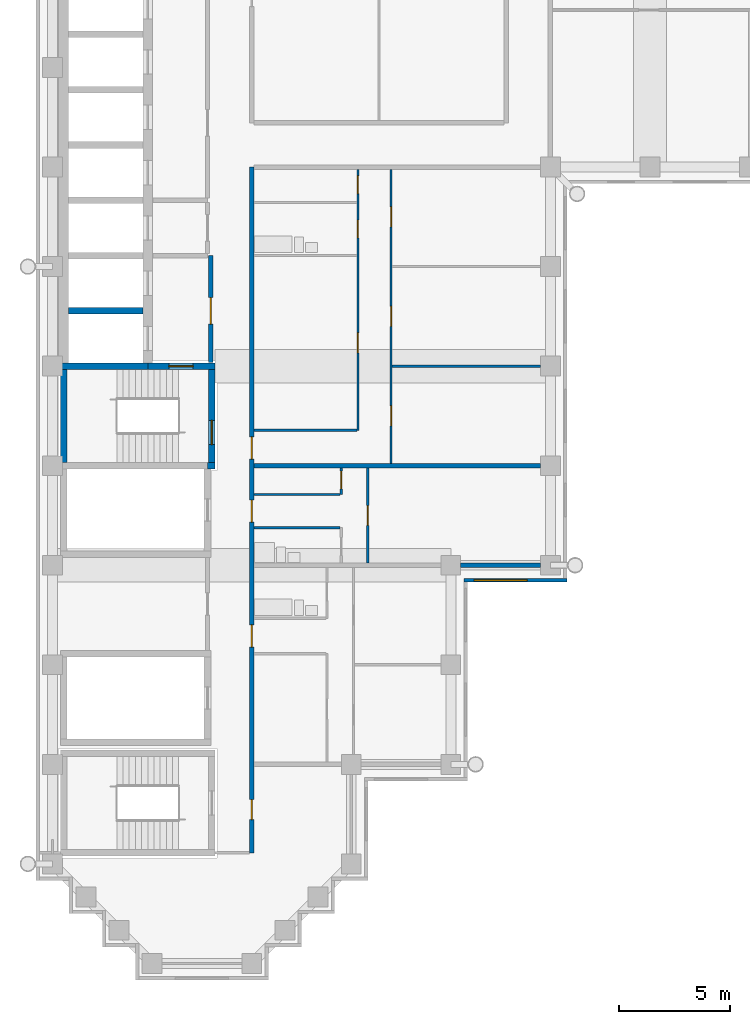
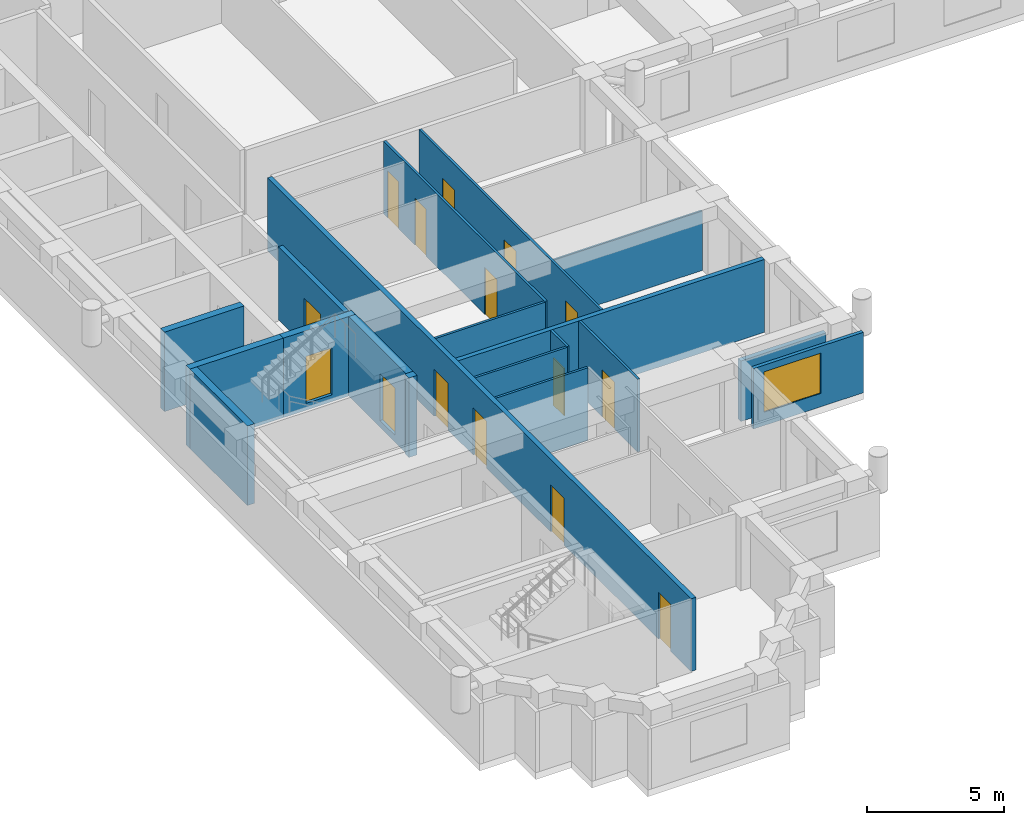
# One storey, part 6 of 14: 19 walls, 15 doors, 1 window, 16 openings.
"""IFC4 building model written with IfcOpenShell, lengths in metres."""

from ifc_helpers import new_model, si_unit, direction, frame, frame_2d, origin, place, context, subcontext, project, spatial, rectangle, extrude, material, layer, layer_set, type_object, element, fill, save


model = new_model("IFC4")

# Units and contexts
model_context = context("Model", 3, precision=1e-05, world=origin(), true_north=direction((0.0, 1.0)))
body_context = subcontext(model_context, "Body", "Model", "MODEL_VIEW")
ifc_project = project(units=[si_unit("LENGTHUNIT", "METRE"), si_unit("AREAUNIT", "SQUARE_METRE"), si_unit("VOLUMEUNIT", "CUBIC_METRE"), si_unit("PLANEANGLEUNIT", "RADIAN"), si_unit("MASSUNIT", "GRAM", prefix="KILO")], contexts=[model_context])

# Site, building, storey
site_placement = place(None, origin())
site = spatial("IfcSite", under=ifc_project, at=site_placement, CompositionType="ELEMENT")
building_placement = place(site_placement, origin())
building = spatial("IfcBuilding", under=site, at=building_placement, Name="Firuza Court", CompositionType="ELEMENT")
storey_placement = place(building_placement, frame((0.0, 0.0, 182.60009765625)))
storey = spatial("IfcBuildingStorey", under=building, at=storey_placement, Name="L46", CompositionType="ELEMENT", Elevation=182.60009765625)

# Walls
ifc_material_1 = material(Name="Moisture-resistant gypsum board partition")
ifc_layer_1 = layer(ifc_material_1, 0.10009765625)
ifc_layer_set_1 = layer_set([ifc_layer_1], Name="Moisture-resistant gypsum board partition")
wall_type_1 = type_object("IfcWallType", Name="Bathroom partition 100", PredefinedType="PLUMBINGWALL", material=ifc_layer_set_1)
wall_1_placement = place(storey_placement, frame((9.10009765625, 19.699951171875, 0.0), z_axis=(0.0, 0.0, 1.0), x_axis=(1.0, 0.0, 0.0)))
element("IfcWall", 1, at=wall_1_placement, inside=storey, type_object=wall_type_1, Name="Bathroom partition 100 L46", PredefinedType="PLUMBINGWALL", context=body_context, shape_type="SweptSolid", body=[
    extrude(rectangle(XDim=3.89990234375, YDim=0.10009765625, at=frame_2d((1.949951171875, 0.0))), origin(), (0.0, 0.0, 1.0), 3.25),
])
ifc_material_2 = material(Name="Concrete C50/60", Category="concrete")
ifc_layer_2 = layer(ifc_material_2, 0.300048828125)
ifc_layer_set_2 = layer_set([ifc_layer_2], Name="Concrete C50/60")
wall_type_2 = type_object("IfcWallType", Name="Core wall 300 C50/60", PredefinedType="SHEAR", material=ifc_layer_set_2)
wall_2_placement = place(storey_placement, frame((0.35009765625, 27.0, -0.300048828125), z_axis=(0.0, 0.0, 1.0), x_axis=(1.0, 0.0, 0.0)))
element("IfcWall", 2, at=wall_2_placement, inside=storey, type_object=wall_type_2, Name="Core wall lift shaft L46", PredefinedType="SHEAR", context=body_context, shape_type="SweptSolid", body=[
    extrude(rectangle(XDim=3.949951171875, YDim=0.300048828125, at=frame_2d((1.97509765625, 0.0))), origin(), (0.0, 0.0, 1.0), 3.550048828125),
])
wall_3_placement = place(storey_placement, frame((0.5, 22.64990234375, -0.300048828125), z_axis=(0.0, 0.0, 1.0), x_axis=(0.0, 1.0, 0.0)))
element("IfcWall", 3, at=wall_3_placement, inside=storey, type_object=wall_type_2, Name="Core wall stair L46", PredefinedType="SHEAR", context=body_context, shape_type="SweptSolid", body=[
    extrude(rectangle(XDim=4.2001953125, YDim=0.300048828125, at=frame_2d((2.10009765625, 0.0))), origin(), (0.0, 0.0, 1.0), 3.550048828125),
])
wall_4_placement = place(storey_placement, frame((0.72509765625, 29.5, -0.300048828125), z_axis=(0.0, 0.0, 1.0), x_axis=(1.0, 0.0, 0.0)))
element("IfcWall", 4, at=wall_4_placement, inside=storey, type_object=wall_type_2, Name="Core wall lift shaft L46", PredefinedType="SHEAR", context=body_context, shape_type="SweptSolid", body=[
    extrude(rectangle(XDim=3.349853515625, YDim=0.300048828125, at=frame_2d((1.6748046875, 0.0))), origin(), (0.0, 0.0, 1.0), 3.550048828125),
])

# Wall, opening, door
wall_5_placement = place(storey_placement, frame((4.300048828125, 27.0, -0.300048828125), z_axis=(0.0, 0.0, 1.0), x_axis=(1.0, 0.0, 0.0)))
wall_5 = element("IfcWall", 5, at=wall_5_placement, inside=storey, type_object=wall_type_2, Name="Core wall stair L46", PredefinedType="SHEAR", context=body_context, shape_type="SweptSolid", body=[
    extrude(rectangle(XDim=3.050048828125, YDim=0.300048828125, at=frame_2d((1.52490234375, 0.0))), origin(), (0.0, 0.0, 1.0), 3.550048828125),
])
opening_1_placement = place(wall_5_placement, frame((0.949951171875, 0.0, 0.300048828125)))
opening_1 = element("IfcOpeningElement", 6, at=opening_1_placement, cuts=wall_5, Name="Opening D46013", PredefinedType="OPENING", context=body_context, shape_type="SweptSolid", body=[
    extrude(rectangle(XDim=1.10009765625, YDim=2.10009765625, at=frame_2d((0.550048828125, 1.050048828125))), frame((0.0, 0.162109375, 0.0), z_axis=(0.0, -1.0, 0.0), x_axis=(1.0, 0.0, 0.0)), (0.0, 0.0, 1.0), 0.323974609375),
])
ifc_material_3 = material(Name="Timber door leaf in hardwood frame", Category="wood")
door_type_1 = type_object("IfcDoorType", Name="Stair door 1100", OperationType="SINGLE_SWING_LEFT", PredefinedType="DOOR", material=ifc_material_3)
door_1_placement = place(opening_1_placement, frame((1.10009765625, 0.0, 0.0), z_axis=(0.0, 0.0, 1.0), x_axis=(-1.0, 0.0, 0.0)))
door_1 = element("IfcDoor", 7, at=door_1_placement, inside=storey, type_object=door_type_1, Name="Fire-fighting lobby door", OperationType="SINGLE_SWING_LEFT", OverallHeight=2.10009765625, OverallWidth=1.10009765625, PredefinedType="DOOR", context=body_context, shape_type="SweptSolid", body=[
    extrude(rectangle(XDim=1.10009765625, YDim=2.10009765625, at=frame_2d((0.550048828125, 1.050048828125))), frame((0.0, 0.02490234375, 0.0), z_axis=(0.0, -1.0, 0.0), x_axis=(1.0, 0.0, 0.0)), (0.0, 0.0, 1.0), 0.050048828125),
])
fill(opening_1, door_1)

# Wall
wall_6_placement = place(storey_placement, frame((7.0, 22.5, -0.300048828125), z_axis=(0.0, 0.0, 1.0), x_axis=(1.0, 0.0, 0.0)))
element("IfcWall", 8, at=wall_6_placement, inside=storey, type_object=wall_type_2, Name="Core wall stair L46", PredefinedType="SHEAR", context=body_context, shape_type="SweptSolid", body=[
    extrude(rectangle(XDim=0.35009765625, YDim=0.300048828125, at=frame_2d((0.175048828125, 0.0))), origin(), (0.0, 0.0, 1.0), 3.550048828125),
])

# Wall, opening, door
wall_7_placement = place(storey_placement, frame((7.199951171875, 22.64990234375, -0.300048828125), z_axis=(0.0, 0.0, 1.0), x_axis=(0.0, 1.0, 0.0)))
wall_7 = element("IfcWall", 9, at=wall_7_placement, inside=storey, type_object=wall_type_2, Name="Core wall stair L46", PredefinedType="SHEAR", context=body_context, shape_type="SweptSolid", body=[
    extrude(rectangle(XDim=4.2001953125, YDim=0.300048828125, at=frame_2d((2.10009765625, 0.0))), origin(), (0.0, 0.0, 1.0), 3.550048828125),
])
opening_2_placement = place(wall_7_placement, frame((0.800048828125, 0.0, 0.300048828125)))
opening_2 = element("IfcOpeningElement", 10, at=opening_2_placement, cuts=wall_7, Name="Opening D46014", PredefinedType="OPENING", context=body_context, shape_type="SweptSolid", body=[
    extrude(rectangle(XDim=1.10009765625, YDim=2.10009765625, at=frame_2d((0.550048828125, 1.050048828125))), frame((0.0, 0.162109375, 0.0), z_axis=(0.0, -1.0, 0.0), x_axis=(1.0, 0.0, 0.0)), (0.0, 0.0, 1.0), 0.323974609375),
])
door_2_placement = place(opening_2_placement, origin())
door_2 = element("IfcDoor", 11, at=door_2_placement, inside=storey, type_object=door_type_1, Name="Stair door S2", OperationType="SINGLE_SWING_LEFT", OverallHeight=2.10009765625, OverallWidth=1.10009765625, PredefinedType="DOOR", context=body_context, shape_type="SweptSolid", body=[
    extrude(rectangle(XDim=1.10009765625, YDim=2.10009765625, at=frame_2d((0.550048828125, 1.050048828125))), frame((0.0, 0.02490234375, 0.0), z_axis=(0.0, -1.0, 0.0), x_axis=(1.0, 0.0, 0.0)), (0.0, 0.0, 1.0), 0.050048828125),
])
fill(opening_2, door_2)

# Wall, openings, doors
ifc_material_4 = material(Name="Blockwork, plastered both sides", Category="masonry")
ifc_layer_3 = layer(ifc_material_4, 0.199951171875)
ifc_layer_set_3 = layer_set([ifc_layer_3], Name="Blockwork, plastered both sides")
wall_type_3 = type_object("IfcWallType", Name="Corridor wall 200", PredefinedType="PARTITIONING", material=ifc_layer_set_3)
wall_8_placement = place(storey_placement, frame((9.0, 5.0, 0.0), z_axis=(0.0, 0.0, 1.0), x_axis=(0.0, 1.0, 0.0)))
wall_8 = element("IfcWall", 12, at=wall_8_placement, inside=storey, type_object=wall_type_3, Name="Corridor wall 200 L46", PredefinedType="PARTITIONING", context=body_context, shape_type="SweptSolid", body=[
    extrude(rectangle(XDim=31.0, YDim=0.199951171875, at=frame_2d((15.5, 0.0))), origin(), (0.0, 0.0, 1.0), 3.25),
])
opening_3_placement = place(wall_8_placement, frame((17.800048828125, 0.0, 0.0)))
opening_3 = element("IfcOpeningElement", 13, at=opening_3_placement, cuts=wall_8, Name="Opening D46018", PredefinedType="OPENING", context=body_context, shape_type="SweptSolid", body=[
    extrude(rectangle(XDim=1.0, YDim=2.10009765625, at=frame_2d((0.5, 1.050048828125))), frame((0.0, 0.11181640625, 0.0), z_axis=(0.0, -1.0, 0.0), x_axis=(1.0, 0.0, 0.0)), (0.0, 0.0, 1.0), 0.223876953125),
])
opening_4_placement = place(wall_8_placement, frame((14.949951171875, 0.0, 0.0)))
opening_4 = element("IfcOpeningElement", 14, at=opening_4_placement, cuts=wall_8, Name="Opening D46019", PredefinedType="OPENING", context=body_context, shape_type="SweptSolid", body=[
    extrude(rectangle(XDim=1.0, YDim=2.10009765625, at=frame_2d((0.5, 1.050048828125))), frame((0.0, 0.11181640625, 0.0), z_axis=(0.0, -1.0, 0.0), x_axis=(1.0, 0.0, 0.0)), (0.0, 0.0, 1.0), 0.223876953125),
])
opening_5_placement = place(wall_8_placement, frame((9.300048828125, 0.0, 0.0)))
opening_5 = element("IfcOpeningElement", 15, at=opening_5_placement, cuts=wall_8, Name="Opening D46020", PredefinedType="OPENING", context=body_context, shape_type="SweptSolid", body=[
    extrude(rectangle(XDim=1.0, YDim=2.10009765625, at=frame_2d((0.5, 1.050048828125))), frame((0.0, 0.11181640625, 0.0), z_axis=(0.0, -1.0, 0.0), x_axis=(1.0, 0.0, 0.0)), (0.0, 0.0, 1.0), 0.223876953125),
])
opening_6_placement = place(wall_8_placement, frame((1.5, 0.0, 0.0)))
opening_6 = element("IfcOpeningElement", 16, at=opening_6_placement, cuts=wall_8, Name="Opening D46021", PredefinedType="OPENING", context=body_context, shape_type="SweptSolid", body=[
    extrude(rectangle(XDim=0.89990234375, YDim=2.10009765625, at=frame_2d((0.449951171875, 1.050048828125))), frame((0.0, 0.11181640625, 0.0), z_axis=(0.0, -1.0, 0.0), x_axis=(1.0, 0.0, 0.0)), (0.0, 0.0, 1.0), 0.223876953125),
])
ifc_material_5 = material(Name="Timber door leaf in hardwood frame", Category="wood")
door_type_2 = type_object("IfcDoorType", Name="Flat entrance door 1000", OperationType="SINGLE_SWING_LEFT", PredefinedType="DOOR", material=ifc_material_5)
door_3_placement = place(opening_3_placement, origin())
door_3 = element("IfcDoor", 17, at=door_3_placement, inside=storey, type_object=door_type_2, Name="Flat entrance door", OperationType="SINGLE_SWING_LEFT", OverallHeight=2.10009765625, OverallWidth=1.0, PredefinedType="DOOR", context=body_context, shape_type="SweptSolid", body=[
    extrude(rectangle(XDim=1.0, YDim=2.10009765625, at=frame_2d((0.5, 1.050048828125))), frame((0.0, 0.02490234375, 0.0), z_axis=(0.0, -1.0, 0.0), x_axis=(1.0, 0.0, 0.0)), (0.0, 0.0, 1.0), 0.050048828125),
])
fill(opening_3, door_3)
door_4_placement = place(opening_4_placement, origin())
door_4 = element("IfcDoor", 18, at=door_4_placement, inside=storey, type_object=door_type_2, Name="Flat entrance door", OperationType="SINGLE_SWING_LEFT", OverallHeight=2.10009765625, OverallWidth=1.0, PredefinedType="DOOR", context=body_context, shape_type="SweptSolid", body=[
    extrude(rectangle(XDim=1.0, YDim=2.10009765625, at=frame_2d((0.5, 1.050048828125))), frame((0.0, 0.02490234375, 0.0), z_axis=(0.0, -1.0, 0.0), x_axis=(1.0, 0.0, 0.0)), (0.0, 0.0, 1.0), 0.050048828125),
])
fill(opening_4, door_4)
door_5_placement = place(opening_5_placement, origin())
door_5 = element("IfcDoor", 19, at=door_5_placement, inside=storey, type_object=door_type_2, Name="Flat entrance door", OperationType="SINGLE_SWING_LEFT", OverallHeight=2.10009765625, OverallWidth=1.0, PredefinedType="DOOR", context=body_context, shape_type="SweptSolid", body=[
    extrude(rectangle(XDim=1.0, YDim=2.10009765625, at=frame_2d((0.5, 1.050048828125))), frame((0.0, 0.02490234375, 0.0), z_axis=(0.0, -1.0, 0.0), x_axis=(1.0, 0.0, 0.0)), (0.0, 0.0, 1.0), 0.050048828125),
])
fill(opening_5, door_5)
ifc_material_6 = material(Name="Timber door leaf in hardwood frame", Category="wood")
door_type_3 = type_object("IfcDoorType", Name="Room door 900 EI 30", OperationType="SINGLE_SWING_LEFT", PredefinedType="DOOR", material=ifc_material_6)
door_6_placement = place(opening_6_placement, origin())
door_6 = element("IfcDoor", 20, at=door_6_placement, inside=storey, type_object=door_type_3, Name="Fitness studio door", OperationType="SINGLE_SWING_LEFT", OverallHeight=2.10009765625, OverallWidth=0.89990234375, PredefinedType="DOOR", context=body_context, shape_type="SweptSolid", body=[
    extrude(rectangle(XDim=0.89990234375, YDim=2.10009765625, at=frame_2d((0.449951171875, 1.050048828125))), frame((0.0, 0.02490234375, 0.0), z_axis=(0.0, -1.0, 0.0), x_axis=(1.0, 0.0, 0.0)), (0.0, 0.0, 1.0), 0.050048828125),
])
fill(opening_6, door_6)

# Wall, opening, door
ifc_material_7 = material(Name="Timber stud partition, plasterboard both sides", Category="wood")
ifc_layer_4 = layer(ifc_material_7, 0.10009765625)
ifc_layer_set_4 = layer_set([ifc_layer_4], Name="Timber stud partition, plasterboard both sides")
wall_type_4 = type_object("IfcWallType", Name="Partition wall 100", PredefinedType="PARTITIONING", material=ifc_layer_set_4)
wall_9_placement = place(storey_placement, frame((14.25, 18.10009765625, 0.0), z_axis=(0.0, 0.0, 1.0), x_axis=(0.0, 1.0, 0.0)))
wall_9 = element("IfcWall", 21, at=wall_9_placement, inside=storey, type_object=wall_type_4, Name="Partition wall 100 L46", PredefinedType="PARTITIONING", context=body_context, shape_type="SweptSolid", body=[
    extrude(rectangle(XDim=4.2998046875, YDim=0.10009765625, at=frame_2d((2.14990234375, 0.0))), origin(), (0.0, 0.0, 1.0), 3.25),
])
opening_7_placement = place(wall_9_placement, frame((1.699951171875, 0.0, 0.0)))
opening_7 = element("IfcOpeningElement", 22, at=opening_7_placement, cuts=wall_9, Name="Opening D46028", PredefinedType="OPENING", context=body_context, shape_type="SweptSolid", body=[
    extrude(rectangle(XDim=0.89990234375, YDim=2.10009765625, at=frame_2d((0.449951171875, 1.050048828125))), frame((0.0, 0.06201171875, 0.0), z_axis=(0.0, -1.0, 0.0), x_axis=(1.0, 0.0, 0.0)), (0.0, 0.0, 1.0), 0.1240234375),
])
ifc_material_8 = material(Name="Timber door leaf in hardwood frame", Category="wood")
door_type_4 = type_object("IfcDoorType", Name="Room door 900", OperationType="SINGLE_SWING_LEFT", PredefinedType="DOOR", material=ifc_material_8)
door_7_placement = place(opening_7_placement, frame((0.89990234375, 0.0, 0.0), z_axis=(0.0, 0.0, 1.0), x_axis=(-1.0, 0.0, 0.0)))
door_7 = element("IfcDoor", 23, at=door_7_placement, inside=storey, type_object=door_type_4, Name="Studio room door", OperationType="SINGLE_SWING_RIGHT", OverallHeight=2.10009765625, OverallWidth=0.89990234375, PredefinedType="DOOR", context=body_context, shape_type="SweptSolid", body=[
    extrude(rectangle(XDim=0.89990234375, YDim=2.10009765625, at=frame_2d((0.449951171875, 1.050048828125))), frame((0.0, 0.02490234375, 0.0), z_axis=(0.0, -1.0, 0.0), x_axis=(1.0, 0.0, 0.0)), (0.0, 0.0, 1.0), 0.050048828125),
])
fill(opening_7, door_7)

# Wall
wall_10_placement = place(storey_placement, frame((9.10009765625, 21.199951171875, 0.0), z_axis=(0.0, 0.0, 1.0), x_axis=(1.0, 0.0, 0.0)))
element("IfcWall", 24, at=wall_10_placement, inside=storey, type_object=wall_type_4, Name="Partition wall 100 L46", PredefinedType="PARTITIONING", context=body_context, shape_type="SweptSolid", body=[
    extrude(rectangle(XDim=3.89990234375, YDim=0.10009765625, at=frame_2d((1.949951171875, 0.0))), origin(), (0.0, 0.0, 1.0), 3.25),
])

# Wall, opening, door
wall_11_placement = place(storey_placement, frame((13.050048828125, 21.199951171875, 0.0), z_axis=(0.0, 0.0, 1.0), x_axis=(0.0, 1.0, 0.0)))
wall_11 = element("IfcWall", 25, at=wall_11_placement, inside=storey, type_object=wall_type_4, Name="Partition wall 100 L46", PredefinedType="PARTITIONING", context=body_context, shape_type="SweptSolid", body=[
    extrude(rectangle(XDim=1.199951171875, YDim=0.10009765625, at=frame_2d((0.60009765625, 0.0))), origin(), (0.0, 0.0, 1.0), 3.25),
])
opening_8_placement = place(wall_11_placement, frame((0.25, 0.0, 0.0)))
opening_8 = element("IfcOpeningElement", 26, at=opening_8_placement, cuts=wall_11, Name="Opening D46029", PredefinedType="OPENING", context=body_context, shape_type="SweptSolid", body=[
    extrude(rectangle(XDim=0.800048828125, YDim=2.10009765625, at=frame_2d((0.39990234375, 1.050048828125))), frame((0.0, 0.06201171875, 0.0), z_axis=(0.0, -1.0, 0.0), x_axis=(1.0, 0.0, 0.0)), (0.0, 0.0, 1.0), 0.1240234375),
])
ifc_material_9 = material(Name="Timber door leaf in hardwood frame", Category="wood")
door_type_5 = type_object("IfcDoorType", Name="Room door 800", OperationType="SINGLE_SWING_LEFT", PredefinedType="DOOR", material=ifc_material_9)
door_8_placement = place(opening_8_placement, origin())
door_8 = element("IfcDoor", 27, at=door_8_placement, inside=storey, type_object=door_type_5, Name="Kitchen door", OperationType="SINGLE_SWING_LEFT", OverallHeight=2.10009765625, OverallWidth=0.800048828125, PredefinedType="DOOR", context=body_context, shape_type="SweptSolid", body=[
    extrude(rectangle(XDim=0.800048828125, YDim=2.10009765625, at=frame_2d((0.39990234375, 1.050048828125))), frame((0.0, 0.02490234375, 0.0), z_axis=(0.0, -1.0, 0.0), x_axis=(1.0, 0.0, 0.0)), (0.0, 0.0, 1.0), 0.050048828125),
])
fill(opening_8, door_8)

# Wall, openings, doors
wall_12_placement = place(storey_placement, frame((15.300048828125, 22.60009765625, 0.0), z_axis=(0.0, 0.0, 1.0), x_axis=(0.0, 1.0, 0.0)))
wall_12 = element("IfcWall", 28, at=wall_12_placement, inside=storey, type_object=wall_type_4, Name="Partition wall 100 L46", PredefinedType="PARTITIONING", context=body_context, shape_type="SweptSolid", body=[
    extrude(rectangle(XDim=13.2998046875, YDim=0.10009765625, at=frame_2d((6.64990234375, 0.0))), origin(), (0.0, 0.0, 1.0), 3.25),
])
opening_9_placement = place(wall_12_placement, frame((1.699951171875, 0.0, 0.0)))
opening_9 = element("IfcOpeningElement", 29, at=opening_9_placement, cuts=wall_12, Name="Opening D46030", PredefinedType="OPENING", context=body_context, shape_type="SweptSolid", body=[
    extrude(rectangle(XDim=0.89990234375, YDim=2.10009765625, at=frame_2d((0.449951171875, 1.050048828125))), frame((0.0, 0.06201171875, 0.0), z_axis=(0.0, -1.0, 0.0), x_axis=(1.0, 0.0, 0.0)), (0.0, 0.0, 1.0), 0.1240234375),
])
opening_10_placement = place(wall_12_placement, frame((6.199951171875, 0.0, 0.0)))
opening_10 = element("IfcOpeningElement", 30, at=opening_10_placement, cuts=wall_12, Name="Opening D46031", PredefinedType="OPENING", context=body_context, shape_type="SweptSolid", body=[
    extrude(rectangle(XDim=0.89990234375, YDim=2.10009765625, at=frame_2d((0.449951171875, 1.050048828125))), frame((0.0, 0.06201171875, 0.0), z_axis=(0.0, -1.0, 0.0), x_axis=(1.0, 0.0, 0.0)), (0.0, 0.0, 1.0), 0.1240234375),
])
opening_11_placement = place(wall_12_placement, frame((10.699951171875, 0.0, 0.0)))
opening_11 = element("IfcOpeningElement", 31, at=opening_11_placement, cuts=wall_12, Name="Opening D46032", PredefinedType="OPENING", context=body_context, shape_type="SweptSolid", body=[
    extrude(rectangle(XDim=0.89990234375, YDim=2.10009765625, at=frame_2d((0.449951171875, 1.050048828125))), frame((0.0, 0.06201171875, 0.0), z_axis=(0.0, -1.0, 0.0), x_axis=(1.0, 0.0, 0.0)), (0.0, 0.0, 1.0), 0.1240234375),
])
door_9_placement = place(opening_9_placement, frame((0.89990234375, 0.0, 0.0), z_axis=(0.0, 0.0, 1.0), x_axis=(-1.0, 0.0, 0.0)))
door_9 = element("IfcDoor", 32, at=door_9_placement, inside=storey, type_object=door_type_4, Name="Living room door", OperationType="SINGLE_SWING_RIGHT", OverallHeight=2.10009765625, OverallWidth=0.89990234375, PredefinedType="DOOR", context=body_context, shape_type="SweptSolid", body=[
    extrude(rectangle(XDim=0.89990234375, YDim=2.10009765625, at=frame_2d((0.449951171875, 1.050048828125))), frame((0.0, 0.02490234375, 0.0), z_axis=(0.0, -1.0, 0.0), x_axis=(1.0, 0.0, 0.0)), (0.0, 0.0, 1.0), 0.050048828125),
])
fill(opening_9, door_9)
door_10_placement = place(opening_10_placement, frame((0.89990234375, 0.0, 0.0), z_axis=(0.0, 0.0, 1.0), x_axis=(-1.0, 0.0, 0.0)))
door_10 = element("IfcDoor", 33, at=door_10_placement, inside=storey, type_object=door_type_4, Name="Bedroom door", OperationType="SINGLE_SWING_RIGHT", OverallHeight=2.10009765625, OverallWidth=0.89990234375, PredefinedType="DOOR", context=body_context, shape_type="SweptSolid", body=[
    extrude(rectangle(XDim=0.89990234375, YDim=2.10009765625, at=frame_2d((0.449951171875, 1.050048828125))), frame((0.0, 0.02490234375, 0.0), z_axis=(0.0, -1.0, 0.0), x_axis=(1.0, 0.0, 0.0)), (0.0, 0.0, 1.0), 0.050048828125),
])
fill(opening_10, door_10)
door_11_placement = place(opening_11_placement, frame((0.89990234375, 0.0, 0.0), z_axis=(0.0, 0.0, 1.0), x_axis=(-1.0, 0.0, 0.0)))
door_11 = element("IfcDoor", 34, at=door_11_placement, inside=storey, type_object=door_type_4, Name="Bedroom door", OperationType="SINGLE_SWING_RIGHT", OverallHeight=2.10009765625, OverallWidth=0.89990234375, PredefinedType="DOOR", context=body_context, shape_type="SweptSolid", body=[
    extrude(rectangle(XDim=0.89990234375, YDim=2.10009765625, at=frame_2d((0.449951171875, 1.050048828125))), frame((0.0, 0.02490234375, 0.0), z_axis=(0.0, -1.0, 0.0), x_axis=(1.0, 0.0, 0.0)), (0.0, 0.0, 1.0), 0.050048828125),
])
fill(opening_11, door_11)

# Wall
wall_13_placement = place(storey_placement, frame((9.10009765625, 24.10009765625, 0.0), z_axis=(0.0, 0.0, 1.0), x_axis=(1.0, 0.0, 0.0)))
element("IfcWall", 35, at=wall_13_placement, inside=storey, type_object=wall_type_4, Name="Partition wall 100 L46", PredefinedType="PARTITIONING", context=body_context, shape_type="SweptSolid", body=[
    extrude(rectangle(XDim=4.64990234375, YDim=0.10009765625, at=frame_2d((2.324951171875, 0.0))), origin(), (0.0, 0.0, 1.0), 3.25),
])

# Wall, openings, doors
wall_14_placement = place(storey_placement, frame((13.800048828125, 24.10009765625, 0.0), z_axis=(0.0, 0.0, 1.0), x_axis=(0.0, 1.0, 0.0)))
wall_14 = element("IfcWall", 36, at=wall_14_placement, inside=storey, type_object=wall_type_4, Name="Partition wall 100 L46", PredefinedType="PARTITIONING", context=body_context, shape_type="SweptSolid", body=[
    extrude(rectangle(XDim=11.7998046875, YDim=0.10009765625, at=frame_2d((5.89990234375, 0.0))), origin(), (0.0, 0.0, 1.0), 3.25),
])
opening_12_placement = place(wall_14_placement, frame((8.699951171875, 0.0, 0.0)))
opening_12 = element("IfcOpeningElement", 37, at=opening_12_placement, cuts=wall_14, Name="Opening D46033", PredefinedType="OPENING", context=body_context, shape_type="SweptSolid", body=[
    extrude(rectangle(XDim=0.800048828125, YDim=2.10009765625, at=frame_2d((0.39990234375, 1.050048828125))), frame((0.0, 0.06201171875, 0.0), z_axis=(0.0, -1.0, 0.0), x_axis=(1.0, 0.0, 0.0)), (0.0, 0.0, 1.0), 0.1240234375),
])
opening_13_placement = place(wall_14_placement, frame((3.5, 0.0, 0.0)))
opening_13 = element("IfcOpeningElement", 38, at=opening_13_placement, cuts=wall_14, Name="Opening D46034", PredefinedType="OPENING", context=body_context, shape_type="SweptSolid", body=[
    extrude(rectangle(XDim=0.89990234375, YDim=2.10009765625, at=frame_2d((0.449951171875, 1.050048828125))), frame((0.0, 0.06201171875, 0.0), z_axis=(0.0, -1.0, 0.0), x_axis=(1.0, 0.0, 0.0)), (0.0, 0.0, 1.0), 0.1240234375),
])
opening_14_placement = place(wall_14_placement, frame((10.699951171875, 0.0, 0.0)))
opening_14 = element("IfcOpeningElement", 39, at=opening_14_placement, cuts=wall_14, Name="Opening D46035", PredefinedType="OPENING", context=body_context, shape_type="SweptSolid", body=[
    extrude(rectangle(XDim=0.800048828125, YDim=2.10009765625, at=frame_2d((0.39990234375, 1.050048828125))), frame((0.0, 0.06201171875, 0.0), z_axis=(0.0, -1.0, 0.0), x_axis=(1.0, 0.0, 0.0)), (0.0, 0.0, 1.0), 0.1240234375),
])
ifc_material_10 = material(Name="Timber door leaf in hardwood frame", Category="wood")
door_type_6 = type_object("IfcDoorType", Name="Bathroom door 800", OperationType="SINGLE_SWING_LEFT", PredefinedType="DOOR", material=ifc_material_10)
door_12_placement = place(opening_12_placement, origin())
door_12 = element("IfcDoor", 40, at=door_12_placement, inside=storey, type_object=door_type_6, Name="Bathroom door", OperationType="SINGLE_SWING_LEFT", OverallHeight=2.10009765625, OverallWidth=0.800048828125, PredefinedType="DOOR", context=body_context, shape_type="SweptSolid", body=[
    extrude(rectangle(XDim=0.800048828125, YDim=2.10009765625, at=frame_2d((0.39990234375, 1.050048828125))), frame((0.0, 0.02490234375, 0.0), z_axis=(0.0, -1.0, 0.0), x_axis=(1.0, 0.0, 0.0)), (0.0, 0.0, 1.0), 0.050048828125),
])
fill(opening_12, door_12)
door_13_placement = place(opening_14_placement, origin())
door_13 = element("IfcDoor", 41, at=door_13_placement, inside=storey, type_object=door_type_5, Name="Store door", OperationType="SINGLE_SWING_LEFT", OverallHeight=2.10009765625, OverallWidth=0.800048828125, PredefinedType="DOOR", context=body_context, shape_type="SweptSolid", body=[
    extrude(rectangle(XDim=0.800048828125, YDim=2.10009765625, at=frame_2d((0.39990234375, 1.050048828125))), frame((0.0, 0.02490234375, 0.0), z_axis=(0.0, -1.0, 0.0), x_axis=(1.0, 0.0, 0.0)), (0.0, 0.0, 1.0), 0.050048828125),
])
fill(opening_14, door_13)
door_14_placement = place(opening_13_placement, origin())
door_14 = element("IfcDoor", 42, at=door_14_placement, inside=storey, type_object=door_type_4, Name="Kitchen door", OperationType="SINGLE_SWING_LEFT", OverallHeight=2.10009765625, OverallWidth=0.89990234375, PredefinedType="DOOR", context=body_context, shape_type="SweptSolid", body=[
    extrude(rectangle(XDim=0.89990234375, YDim=2.10009765625, at=frame_2d((0.449951171875, 1.050048828125))), frame((0.0, 0.02490234375, 0.0), z_axis=(0.0, -1.0, 0.0), x_axis=(1.0, 0.0, 0.0)), (0.0, 0.0, 1.0), 0.050048828125),
])
fill(opening_13, door_14)

# Walls
wall_15_placement = place(storey_placement, frame((15.35009765625, 27.0, 0.0), z_axis=(0.0, 0.0, 1.0), x_axis=(1.0, 0.0, 0.0)))
element("IfcWall", 43, at=wall_15_placement, inside=storey, type_object=wall_type_4, Name="Partition wall 100 L46", PredefinedType="PARTITIONING", context=body_context, shape_type="SweptSolid", body=[
    extrude(rectangle(XDim=6.699951171875, YDim=0.10009765625, at=frame_2d((3.35009765625, 0.0))), origin(), (0.0, 0.0, 1.0), 2.64990234375),
])
ifc_layer_5 = layer(ifc_material_4, 0.199951171875)
ifc_layer_set_5 = layer_set([ifc_layer_5], Name="Blockwork, plastered both sides")
wall_type_5 = type_object("IfcWallType", Name="Party wall 200", PredefinedType="PARTITIONING", material=ifc_layer_set_5)
wall_16_placement = place(storey_placement, frame((18.449951171875, 18.0, 0.0), z_axis=(0.0, 0.0, 1.0), x_axis=(1.0, 0.0, 0.0)))
element("IfcWall", 44, at=wall_16_placement, inside=storey, type_object=wall_type_5, Name="Party wall 200 L46", PredefinedType="PARTITIONING", context=body_context, shape_type="SweptSolid", body=[
    extrude(rectangle(XDim=3.60009765625, YDim=0.199951171875, at=frame_2d((1.800048828125, 0.0))), origin(), (0.0, 0.0, 1.0), 2.699951171875),
])
wall_17_placement = place(storey_placement, frame((9.10009765625, 22.5, 0.0), z_axis=(0.0, 0.0, 1.0), x_axis=(1.0, 0.0, 0.0)))
element("IfcWall", 45, at=wall_17_placement, inside=storey, type_object=wall_type_5, Name="Party wall 200 L46", PredefinedType="PARTITIONING", context=body_context, shape_type="SweptSolid", body=[
    extrude(rectangle(XDim=12.949951171875, YDim=0.199951171875, at=frame_2d((6.47509765625, 0.0))), origin(), (0.0, 0.0, 1.0), 3.25),
])

# Wall, opening, window
ifc_material_11 = material(Name="Ceramic tile", Category="ceramic")
ifc_layer_6 = layer(ifc_material_11, 0.02001953125)
ifc_material_12 = material(Name="Mineral wool insulation", Category="insulation")
ifc_layer_7 = layer(ifc_material_12, 0.050048828125)
ifc_material_13 = material(Name="Concrete C40/50 precast", Category="concrete")
ifc_layer_8 = layer(ifc_material_13, 0.080078125)
ifc_layer_set_6 = layer_set([ifc_layer_6, ifc_layer_7, ifc_layer_8], Name="Concrete C40/50 precast")
wall_type_6 = type_object("IfcWallType", Name="Precast cladding wall with turquoise TILE PANEL face 150", PredefinedType="STANDARD", material=ifc_layer_set_6)
wall_18_placement = place(storey_placement, frame((18.60009765625, 17.324951171875, 0.0), z_axis=(0.0, 0.0, 1.0), x_axis=(1.0, 0.0, 0.0)))
wall_18 = element("IfcWall", 46, at=wall_18_placement, inside=storey, type_object=wall_type_6, Name="Facade wall L46 S", PredefinedType="STANDARD", context=body_context, shape_type="SweptSolid", body=[
    extrude(rectangle(XDim=4.64990234375, YDim=0.14990234375, at=frame_2d((2.324951171875, 0.0))), origin(), (0.0, 0.0, 1.0), 2.699951171875),
])
opening_15_placement = place(wall_18_placement, frame((0.449951171875, 0.0, 0.60009765625)))
opening_15 = element("IfcOpeningElement", 47, at=opening_15_placement, cuts=wall_18, Name="Opening W1", PredefinedType="OPENING", context=body_context, shape_type="SweptSolid", body=[
    extrude(rectangle(XDim=2.39990234375, YDim=1.800048828125, at=frame_2d((1.199951171875, 0.89990234375))), frame((0.0, 0.0869140625, 0.0), z_axis=(0.0, -1.0, 0.0), x_axis=(1.0, 0.0, 0.0)), (0.0, 0.0, 1.0), 0.173828125),
])
ifc_material_14 = material(Name="Aluminium frame, triple clear glazing", Category="aluminium")
window_type = type_object("IfcWindowType", Name="Window W1 2400 x 1800", PartitioningType="SINGLE_PANEL", PredefinedType="WINDOW", material=ifc_material_14)
window_placement = place(opening_15_placement, origin())
window = element("IfcWindow", 48, at=window_placement, inside=storey, type_object=window_type, Name="Window L46", OverallHeight=1.800048828125, OverallWidth=2.39990234375, PartitioningType="SINGLE_PANEL", PredefinedType="WINDOW", context=body_context, shape_type="SweptSolid", body=[
    extrude(rectangle(XDim=2.39990234375, YDim=1.800048828125, at=frame_2d((1.199951171875, 0.89990234375))), frame((0.0, 0.030029296875, 0.0), z_axis=(0.0, -1.0, 0.0), x_axis=(1.0, 0.0, 0.0)), (0.0, 0.0, 1.0), 0.06005859375),
])
fill(opening_15, window)

# Wall, opening, door
ifc_material_15 = material(Name="Blockwork, fire-rated", Category="masonry")
ifc_layer_9 = layer(ifc_material_15, 0.199951171875)
ifc_layer_set_7 = layer_set([ifc_layer_9], Name="Blockwork, fire-rated")
wall_type_7 = type_object("IfcWallType", Name="Shaft wall 200", PredefinedType="PARTITIONING", material=ifc_layer_set_7)
wall_19_placement = place(storey_placement, frame((7.14990234375, 27.169921875, 0.0), z_axis=(0.0, 0.0, 1.0), x_axis=(0.0, 1.0, 0.0)))
wall_19 = element("IfcWall", 49, at=wall_19_placement, inside=storey, type_object=wall_type_7, Name="Shaft wall 200 L46", PredefinedType="PARTITIONING", context=body_context, shape_type="SweptSolid", body=[
    extrude(rectangle(XDim=4.830078125, YDim=0.199951171875, at=frame_2d((2.4150390625, 0.0))), origin(), (0.0, 0.0, 1.0), 3.25),
])
opening_16_placement = place(wall_19_placement, frame((1.72998046875, 0.0, 0.0)))
opening_16 = element("IfcOpeningElement", 50, at=opening_16_placement, cuts=wall_19, Name="Opening D46002", PredefinedType="OPENING", context=body_context, shape_type="SweptSolid", body=[
    extrude(rectangle(XDim=1.199951171875, YDim=2.10009765625, at=frame_2d((0.60009765625, 1.050048828125))), frame((0.0, 0.11181640625, 0.0), z_axis=(0.0, -1.0, 0.0), x_axis=(1.0, 0.0, 0.0)), (0.0, 0.0, 1.0), 0.223876953125),
])
ifc_material_16 = material(Name="Timber door leaf in hardwood frame", Category="wood")
door_type_7 = type_object("IfcDoorType", Name="Lobby door 1200", OperationType="SINGLE_SWING_LEFT", PredefinedType="DOOR", material=ifc_material_16)
door_15_placement = place(opening_16_placement, origin())
door_15 = element("IfcDoor", 51, at=door_15_placement, inside=storey, type_object=door_type_7, Name="Fire-fighting lobby door", OperationType="SINGLE_SWING_LEFT", OverallHeight=2.10009765625, OverallWidth=1.199951171875, PredefinedType="DOOR", context=body_context, shape_type="SweptSolid", body=[
    extrude(rectangle(XDim=1.199951171875, YDim=2.10009765625, at=frame_2d((0.60009765625, 1.050048828125))), frame((0.0, 0.02490234375, 0.0), z_axis=(0.0, -1.0, 0.0), x_axis=(1.0, 0.0, 0.0)), (0.0, 0.0, 1.0), 0.050048828125),
])
fill(opening_16, door_15)

save(model, "model.ifc")
